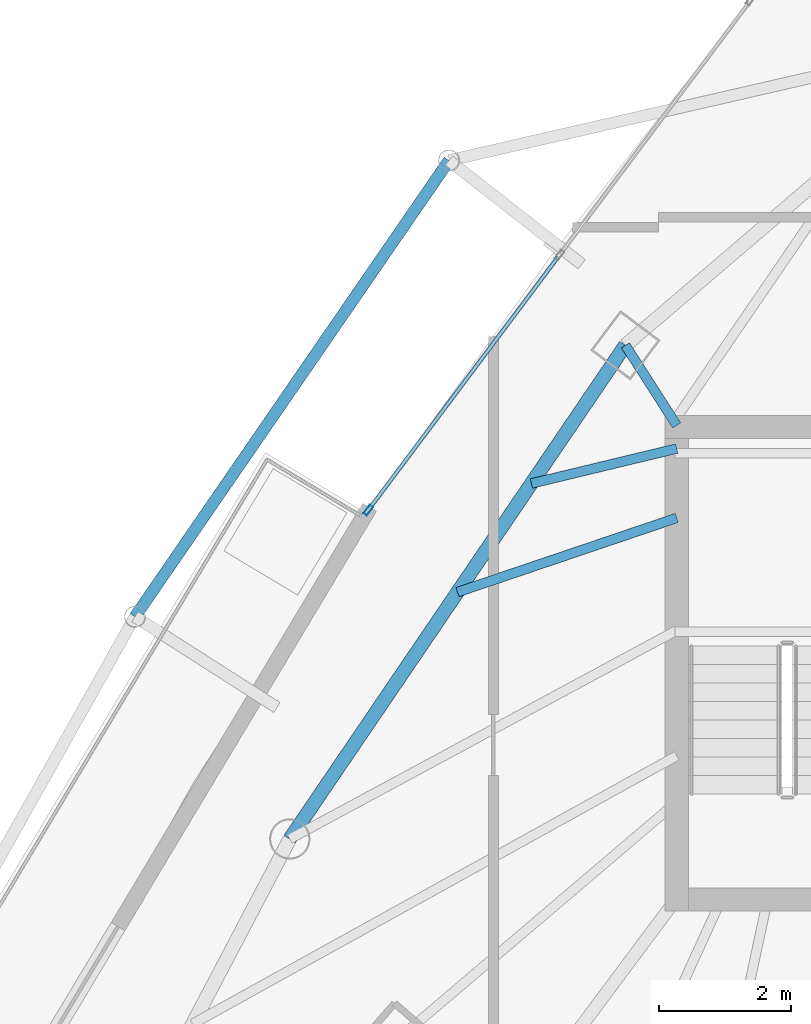
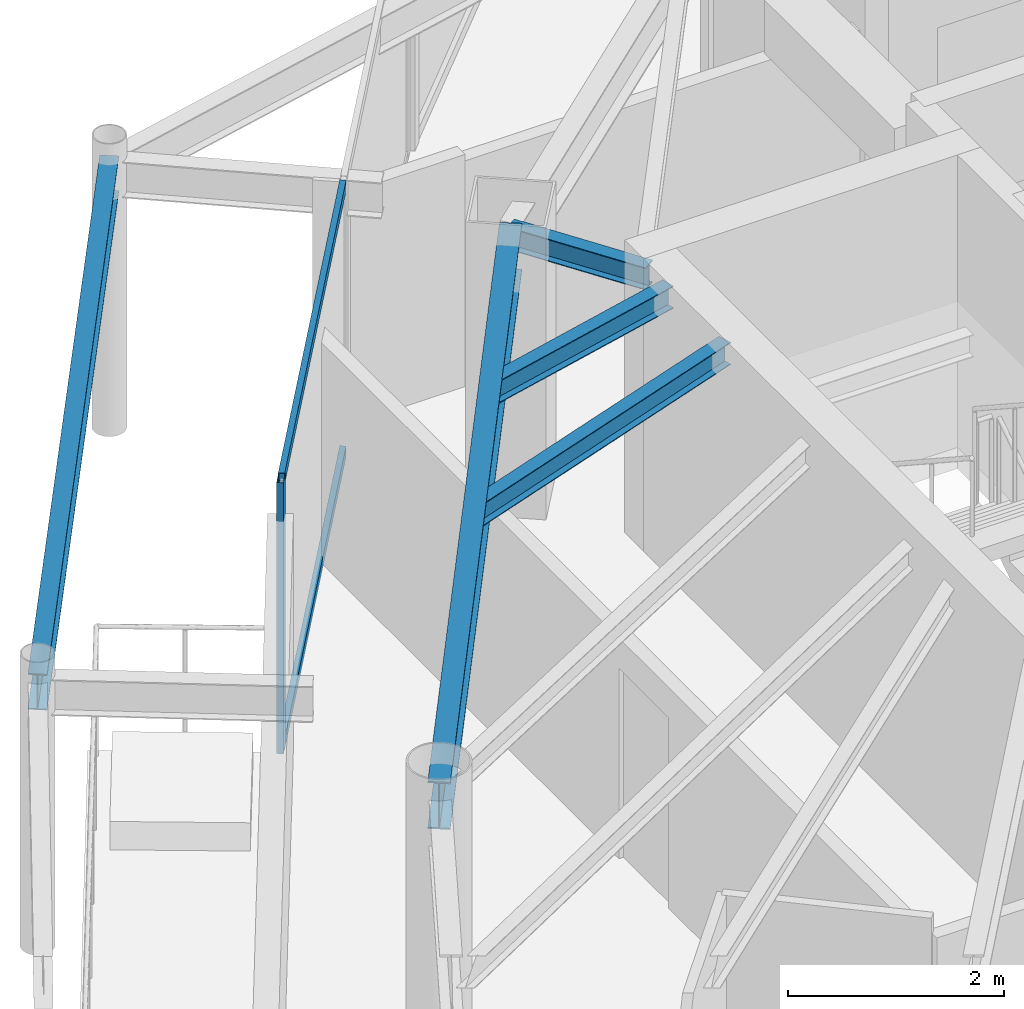
# One storey, part 12 of 29: 5 beams, 3 members, 1 element without a shape of its own.
"""IFC4 building model written with IfcOpenShell, lengths in metres."""

from ifc_helpers import new_model, si_unit, direction, frame, origin, origin_2d, place, context, subcontext, project, spatial, hollow_rectangle, i_section, extrude, material, layer, layer_set, material_profile, profile_set, type_object, element, aggregate, save


model = new_model("IFC4")

# Units and contexts
model_context = context("Model", 3, precision=1e-05, world=origin(), true_north=direction((0.0, 1.0)))
body_context = subcontext(model_context, "Body", "Model", "MODEL_VIEW")
ifc_project = project(units=[si_unit("LENGTHUNIT", "METRE"), si_unit("AREAUNIT", "SQUARE_METRE"), si_unit("VOLUMEUNIT", "CUBIC_METRE"), si_unit("PLANEANGLEUNIT", "RADIAN"), si_unit("MASSUNIT", "GRAM", prefix="KILO")], contexts=[model_context])

# Site, building, storey
site_placement = place(None, origin())
site = spatial("IfcSite", under=ifc_project, at=site_placement, CompositionType="ELEMENT")
building_placement = place(site_placement, origin())
building = spatial("IfcBuilding", under=site, at=building_placement, Name="Orvanel Arch Residences", CompositionType="ELEMENT")
storey_placement = place(building_placement, frame((0.0, 0.0, 243.64990234375)))
storey = spatial("IfcBuildingStorey", under=building, at=storey_placement, Name="L69", CompositionType="ELEMENT", Elevation=243.64990234375)

# Beams
ifc_material_1 = material(Name="Structural steel AS/NZS 3679.1 Grade 300 (300 MPa)", Category="steel")
ifc_material_profile_1 = material_profile(ifc_material_1, i_section(OverallWidth=0.14599609375, OverallDepth=0.251953125, WebThickness=0.006103515625, FlangeThickness=0.008544921875, at=origin_2d()), Name="250UB31.4")
ifc_profile_set_1 = profile_set([ifc_material_profile_1], Name="Structural steel AS/NZS 3679.1 Grade 300 (300 MPa)")
beam_type_1 = type_object("IfcBeamType", Name="BJ-250UB", PredefinedType="JOIST", material=ifc_profile_set_1)
beam_1_placement = place(storey_placement, frame((26.425048828125, 33.89990234375, 2.93408203125), z_axis=(-0.539395075146, 0.842052820735, 0.0), x_axis=(-0.842052820735, -0.539395075146, 0.0)))
element("IfcBeam", 1, at=beam_1_placement, inside=storey, type_object=beam_type_1, Name="L69 NNW Wing Floor Joist", PredefinedType="JOIST", context=body_context, shape_type="SweptSolid", body=[
    extrude(i_section(OverallWidth=0.14599609375, OverallDepth=0.251953125, WebThickness=0.006103515625, FlangeThickness=0.008544921875, at=origin_2d()), origin(), (0.0, 0.0, 1.0), 1.440673828125),
])
beam_2_placement = place(storey_placement, frame((26.425048828125, 32.5, 2.93408203125), z_axis=(-0.947187956478, -0.320678928373, 0.0), x_axis=(0.320678928373, -0.947187956478, 0.0)))
element("IfcBeam", 2, at=beam_2_placement, inside=storey, type_object=beam_type_1, Name="L69 WNW Wing Floor Joist", PredefinedType="JOIST", context=body_context, shape_type="SweptSolid", body=[
    extrude(i_section(OverallWidth=0.14599609375, OverallDepth=0.251953125, WebThickness=0.006103515625, FlangeThickness=0.008544921875, at=origin_2d()), origin(), (0.0, 0.0, 1.0), 3.502197265625),
])
beam_3_placement = place(storey_placement, frame((26.425048828125, 33.550048828125, 2.93408203125), z_axis=(-0.972256833016, -0.23391590509, 0.0), x_axis=(0.23391590509, -0.972256833016, 0.0)))
element("IfcBeam", 3, at=beam_3_placement, inside=storey, type_object=beam_type_1, Name="L69 JADD3 Wing Floor Joist", PredefinedType="JOIST", context=body_context, shape_type="SweptSolid", body=[
    extrude(i_section(OverallWidth=0.14599609375, OverallDepth=0.251953125, WebThickness=0.006103515625, FlangeThickness=0.008544921875, at=origin_2d()), origin(), (0.0, 0.0, 1.0), 2.26171875),
])

# Curtain wall, member
ifc_material_2 = material(Name="Bronze-anodised aluminium AA6063-T6", Category="aluminium")
ifc_layer = layer(ifc_material_2, 0.175048828125)
ifc_layer_set = layer_set([ifc_layer], Name="Bronze-anodised aluminium AA6063-T6")
curtain_wall_type = type_object("IfcCurtainWallType", Name="CW4-HI-SYS", PredefinedType="NOTDEFINED", material=ifc_layer_set)
curtain_wall_placement = place(storey_placement, origin())
curtain_wall = element("IfcCurtainWall", 4, at=curtain_wall_placement, inside=storey, type_object=curtain_wall_type, Name="L69 CW4-HI-SYS Unitised Curtain Wall", PredefinedType="NOTDEFINED")
ifc_material_profile_2 = material_profile(ifc_material_2, hollow_rectangle(XDim=0.06494140625, YDim=0.159912109375, WallThickness=0.00390625, at=origin_2d()), Name="ALU160x65x4")
ifc_profile_set_2 = profile_set([ifc_material_profile_2], Name="Bronze-anodised aluminium AA6063-T6")
member_type_1 = type_object("IfcMemberType", Name="MUL-160x65", PredefinedType="MULLION", material=ifc_profile_set_2)
member_1_placement = place(storey_placement, frame((21.756591796875, 32.617919921875, 0.0), z_axis=(0.0, 0.0, 1.0), x_axis=(0.800074132032, -0.599901144567, 0.0)))
member_1 = element("IfcMember", 5, at=member_1_placement, type_object=member_type_1, Name="CW-S4 mullion 3", PredefinedType="MULLION", context=body_context, shape_type="SweptSolid", body=[
    extrude(hollow_rectangle(XDim=0.06494140625, YDim=0.159912109375, WallThickness=0.00390625, at=origin_2d()), origin(), (0.0, 0.0, 1.0), 3.06005859375),
])

# Beams
ifc_material_profile_3 = material_profile(ifc_material_1, i_section(OverallWidth=0.177978515625, OverallDepth=0.406005859375, WebThickness=0.0078125, FlangeThickness=0.0126953125, at=origin_2d()), Name="410UB59.7")
ifc_profile_set_3 = profile_set([ifc_material_profile_3], Name="Structural steel AS/NZS 3679.1 Grade 300 (300 MPa)")
beam_type_2 = type_object("IfcBeamType", Name="OB-410UB-EXT", PredefinedType="SPANDREL", material=ifc_profile_set_3)
beam_4_placement = place(storey_placement, frame((22.97900390625, 37.909912109375, 2.857177734375), z_axis=(-0.566992250283, -0.823723125886, 0.0), x_axis=(0.823723125886, -0.566992250283, 0.0)))
element("IfcBeam", 6, at=beam_4_placement, inside=storey, type_object=beam_type_2, Name="L69 Outer Perimeter Floor Ring Beam 01", PredefinedType="SPANDREL", context=body_context, shape_type="SweptSolid", body=[
    extrude(i_section(OverallWidth=0.177978515625, OverallDepth=0.406005859375, WebThickness=0.0078125, FlangeThickness=0.0126953125, at=origin_2d()), origin(), (0.0, 0.0, 1.0), 8.3828125),
])
ifc_material_profile_4 = material_profile(ifc_material_1, i_section(OverallWidth=0.208984375, OverallDepth=0.532958984375, WebThickness=0.01025390625, FlangeThickness=0.015625, at=origin_2d()), Name="530UB92.4")
ifc_profile_set_4 = profile_set([ifc_material_profile_4], Name="Structural steel AS/NZS 3679.1 Grade 300 (300 MPa)")
beam_type_3 = type_object("IfcBeamType", Name="SP-530UB", PredefinedType="SPANDREL", material=ifc_profile_set_4)
beam_5_placement = place(storey_placement, frame((25.64794921875, 35.113037109375, 2.794189453125), z_axis=(-0.562154793153, -0.827032035978, 0.0), x_axis=(0.827032035978, -0.562154793153, 0.0)))
element("IfcBeam", 7, at=beam_5_placement, inside=storey, type_object=beam_type_3, Name="L69 Perimeter Spandrel Beam 11", PredefinedType="SPANDREL", context=body_context, shape_type="SweptSolid", body=[
    extrude(i_section(OverallWidth=0.208984375, OverallDepth=0.532958984375, WebThickness=0.01025390625, FlangeThickness=0.015625, at=origin_2d()), origin(), (0.0, 0.0, 1.0), 9.03466796875),
])

# Member
ifc_material_profile_5 = material_profile(ifc_material_2, hollow_rectangle(XDim=0.06005859375, YDim=0.1201171875, WallThickness=0.00341796875, at=origin_2d()), Name="ALU120x60x3.5")
ifc_profile_set_5 = profile_set([ifc_material_profile_5], Name="Bronze-anodised aluminium AA6063-T6")
member_type_2 = type_object("IfcMemberType", Name="TRN-120x60", PredefinedType="USERDEFINED", material=ifc_profile_set_5)
member_2_placement = place(storey_placement, frame((24.630615234375, 36.450927734375, 0.030029296875), z_axis=(-0.599942533675, -0.800043096519, 0.0), x_axis=(0.800043096519, -0.599942533675, 0.0)))
member_2 = element("IfcMember", 8, at=member_2_placement, type_object=member_type_2, Name="CW-S4 transom 2.1", ObjectType="TRANSOM", PredefinedType="USERDEFINED", context=body_context, shape_type="SweptSolid", body=[
    extrude(hollow_rectangle(XDim=0.06005859375, YDim=0.1201171875, WallThickness=0.00341796875, at=origin_2d()), origin(), (0.0, 0.0, 1.0), 4.75830078125),
])

member_3_placement = place(storey_placement, frame((24.630615234375, 36.450927734375, 3.030029296875), z_axis=(-0.599942533675, -0.800043096519, 0.0), x_axis=(0.800043096519, -0.599942533675, 0.0)))
member_3 = element("IfcMember", 9, at=member_3_placement, type_object=member_type_2, Name="CW-S4 transom 2.2", ObjectType="TRANSOM", PredefinedType="USERDEFINED", context=body_context, shape_type="SweptSolid", body=[
    extrude(hollow_rectangle(XDim=0.06005859375, YDim=0.1201171875, WallThickness=0.00341796875, at=origin_2d()), origin(), (0.0, 0.0, 1.0), 4.75830078125),
])

aggregate(curtain_wall, [member_1, member_2, member_3])

save(model, "model.ifc")
